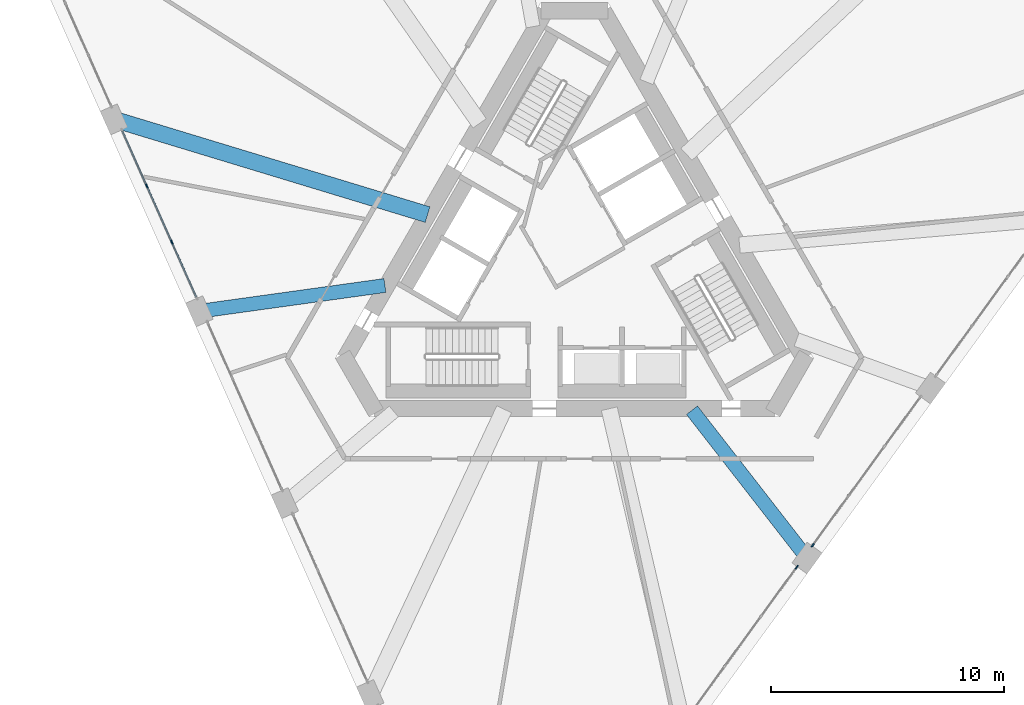
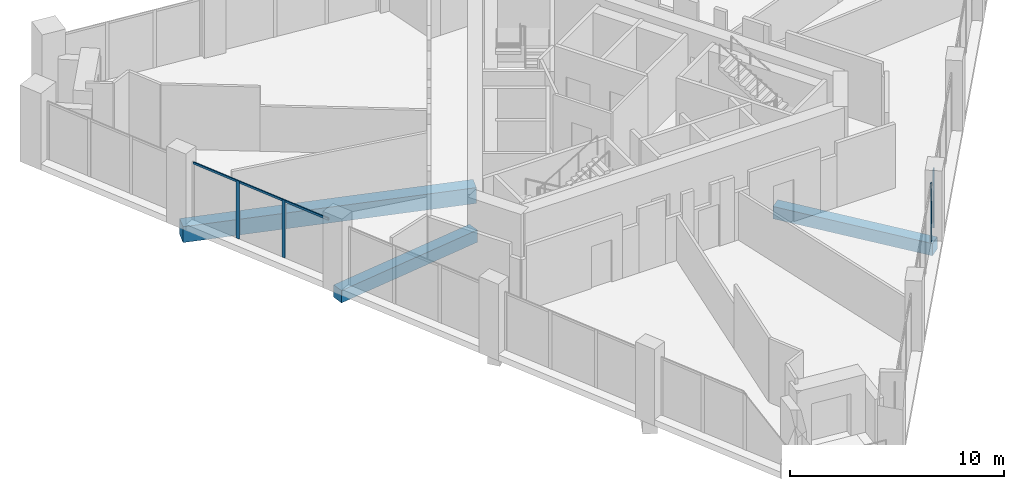
# One storey, part 3 of 15: 7 members, 3 beams, 3 elements without a shape of their own.
"""IFC4 building model written with IfcOpenShell, lengths in metres."""

import ifcopenshell
import ifcopenshell.guid

model = None  # the IFC model being written
_history = None  # IfcOwnerHistory: only IFC2X3 demands one
_inside = {}  # id of a spatial element -> (the spatial element, [elements in it])
_under = {}  # id of a project, library or spatial element -> (it, [spatial elements below it])
_declared = {}  # id of a project -> (the project, [libraries it declares])
_typed = {}  # id of a type object -> (the type object, [elements of that type])
_made_of = {}  # id of a material, layer set ... -> (it, [elements and type objects made of it])


def new_model(schema):
    """Start an empty IFC model of exactly this schema.

    Asked for "IFC4X3", IfcOpenShell would pick the latest addendum, in which some entities
    have other attributes; the version numbers below select the first issue.
    IFC2X3 requires an IfcOwnerHistory on every rooted entity: one is made here for all.
    """
    global model, _history
    if schema == "IFC4X3":
        model = ifcopenshell.file(schema_version=(4, 3, 0, 0))
    else:
        model = ifcopenshell.file(schema=schema)
    _inside.clear()
    _under.clear()
    _declared.clear()
    _typed.clear()
    _made_of.clear()
    _history = None
    if model.schema == "IFC2X3":
        org = make("IfcOrganization", Name="unknown")
        user = make(
            "IfcPersonAndOrganization",
            ThePerson=make("IfcPerson", FamilyName="unknown"),
            TheOrganization=org,
        )
        app = make(
            "IfcApplication",
            ApplicationDeveloper=org,
            Version="unknown",
            ApplicationFullName="unknown",
            ApplicationIdentifier="unknown",
        )
        _history = make(
            "IfcOwnerHistory",
            OwningUser=user,
            OwningApplication=app,
            ChangeAction="ADDED",
            CreationDate=0,
        )
    return model


def make(cls, **values):
    """One entity of the class cls with the attributes given. An attribute that is None is left unset."""
    return model.create_entity(
        cls, **{name: value for name, value in values.items() if value is not None}
    )


def rooted(cls, **values):
    """An entity with a GlobalId (a new one), such as an element, a storey or a relation."""
    return make(cls, GlobalId=ifcopenshell.guid.new(), OwnerHistory=_history, **values)


def si_unit(unit_type, name, prefix=None):
    """IfcSIUnit, for example si_unit("LENGTHUNIT", "METRE", prefix="MILLI")."""
    return make("IfcSIUnit", UnitType=unit_type, Prefix=prefix, Name=name)


def assignment(units):
    """IfcUnitAssignment: the units of a project."""
    return None if units is None else make("IfcUnitAssignment", Units=units)


def point(xyz):
    """IfcCartesianPoint."""
    return None if xyz is None else make("IfcCartesianPoint", Coordinates=xyz)


def direction(xyz):
    """IfcDirection."""
    return None if xyz is None else make("IfcDirection", DirectionRatios=xyz)


def frame(location, z_axis=None, x_axis=None):
    """IfcAxis2Placement3D, a coordinate frame: its origin and axes. An axis left out is left unset."""
    return make(
        "IfcAxis2Placement3D",
        Location=point(location),
        Axis=direction(z_axis),
        RefDirection=direction(x_axis),
    )


def frame_2d(location, x_axis=None):
    """IfcAxis2Placement2D, a coordinate frame in the plane: its origin and x axis."""
    return make(
        "IfcAxis2Placement2D", Location=point(location), RefDirection=direction(x_axis)
    )


def origin():
    """The frame at (0, 0, 0) with its axes left unset."""
    return frame((0.0, 0.0, 0.0))


def origin_2d():
    """The frame at (0, 0) in the plane with its x axis left unset."""
    return frame_2d((0.0, 0.0))


def place(relative_to, where):
    """IfcLocalPlacement: puts the frame where relative to a parent placement (None: the world)."""
    return make(
        "IfcLocalPlacement", PlacementRelTo=relative_to, RelativePlacement=where
    )


def context(
    kind, dimensions, precision=None, world=None, true_north=None, identifier=None
):
    """IfcGeometricRepresentationContext, for example the 3D "Model" context."""
    return make(
        "IfcGeometricRepresentationContext",
        ContextIdentifier=identifier,
        ContextType=kind,
        CoordinateSpaceDimension=dimensions,
        Precision=precision,
        WorldCoordinateSystem=world,
        TrueNorth=true_north,
    )


def subcontext(parent, identifier, kind, view, scale=None):
    """IfcGeometricRepresentationSubContext, for example "Body" below "Model"."""
    return make(
        "IfcGeometricRepresentationSubContext",
        ContextIdentifier=identifier,
        ContextType=kind,
        ParentContext=parent,
        TargetScale=scale,
        TargetView=view,
    )


def project(units=None, contexts=None):
    """IfcProject with its units and contexts."""
    return rooted(
        "IfcProject",
        Name="project",
        RepresentationContexts=contexts,
        UnitsInContext=assignment(units),
    )


def spatial(cls, under=None, at=None, **own):
    """A site, building, storey or space (cls), placed at a placement, below another one or the project."""
    s = rooted(cls, ObjectPlacement=at, **own)
    if under is not None:
        _under.setdefault(under.id(), (under, []))[1].append(s)
    return s


def profile(cls, at=None, kind="AREA", **sizes):
    """A parametric profile (cls). Its sizes go by their IFC names, for example OverallWidth=200.0."""
    return make(cls, ProfileType=kind, Position=at, **sizes)


def rectangle(**sizes):
    """IfcRectangleProfileDef."""
    return profile("IfcRectangleProfileDef", **sizes)


def extrude(swept, where, along, depth):
    """IfcExtrudedAreaSolid: the profile swept, set in the frame where, extruded along a direction by depth."""
    return make(
        "IfcExtrudedAreaSolid",
        SweptArea=swept,
        Position=where,
        ExtrudedDirection=direction(along),
        Depth=depth,
    )


def shape(context_of_items, identifier, shape_type, items):
    """IfcShapeRepresentation: the items that make up one representation, for example the "Body"."""
    return make(
        "IfcShapeRepresentation",
        ContextOfItems=context_of_items,
        RepresentationIdentifier=identifier,
        RepresentationType=shape_type,
        Items=items,
    )


def material(Name=None, Category=None):
    """IfcMaterial."""
    return make("IfcMaterial", Name=Name, Category=Category)


def layer(
    of_material, thickness, ventilated=None, Name=None, Category=None, Priority=None
):
    """IfcMaterialLayer: one layer of a wall or slab, of a material (None: an air gap)."""
    return make(
        "IfcMaterialLayer",
        Material=of_material,
        LayerThickness=thickness,
        IsVentilated=ventilated,
        Name=Name,
        Category=Category,
        Priority=Priority,
    )


def layer_set(layers, Name=None):
    """IfcMaterialLayerSet."""
    return make("IfcMaterialLayerSet", MaterialLayers=layers, LayerSetName=Name)


def material_profile(
    of_material, cross_section, Name=None, Category=None, Priority=None
):
    """IfcMaterialProfile: a cross section and its material."""
    return make(
        "IfcMaterialProfile",
        Name=Name,
        Material=of_material,
        Profile=cross_section,
        Priority=Priority,
        Category=Category,
    )


def profile_set(profiles, Name=None, composite=None):
    """IfcMaterialProfileSet."""
    return make(
        "IfcMaterialProfileSet",
        Name=Name,
        MaterialProfiles=profiles,
        CompositeProfile=composite,
    )


def made_of(thing, what):
    """Note that an element or type object is made of a material, layer set ...; save() writes the relation."""
    if what is not None:
        _made_of.setdefault(what.id(), (what, []))[1].append(thing)
    return thing


def type_object(cls, material=None, **own):
    """A type object (cls), such as IfcWallType, which elements share."""
    return made_of(rooted(cls, **own), material)


def element(
    cls,
    number,
    at=None,
    inside=None,
    cuts=None,
    type_object=None,
    material=None,
    context=None,
    identifier="Body",
    shape_type=None,
    held_by="IfcProductDefinitionShape",
    body=None,
    shapes=None,
    **own,
):
    """One element of the class cls, such as IfcWall. Its Tag is "e" and its number.

    at: its placement. inside: the storey or other place that contains it. cuts: it is an
    opening in that element (IfcRelVoidsElement). A single representation is given by context,
    identifier, shape_type and body (its items); several are given by shapes. held_by: the class
    of the entity that holds the representations. save() writes the other relations.
    """
    e = rooted(cls, Tag="e%d" % number, ObjectPlacement=at, **own)
    if body is not None:
        shapes = [shape(context, identifier, shape_type, body)]
    if shapes is not None:
        e.Representation = make(held_by, Representations=shapes)
    if inside is not None:
        _inside.setdefault(inside.id(), (inside, []))[1].append(e)
    if cuts is not None:
        rooted(
            "IfcRelVoidsElement", RelatingBuildingElement=cuts, RelatedOpeningElement=e
        )
    if type_object is not None:
        _typed.setdefault(type_object.id(), (type_object, []))[1].append(e)
    return made_of(e, material)


def aggregate(whole, parts):
    """IfcRelAggregates: a whole, such as a stair, and the parts it consists of."""
    return rooted("IfcRelAggregates", RelatingObject=whole, RelatedObjects=parts)


def save(model, path):
    """Write the relations noted so far, then the file.

    IfcRelAggregates (storeys below a building ...), IfcRelContainedInSpatialStructure (elements
    in a storey), IfcRelDefinesByType, IfcRelAssociatesMaterial and IfcRelDeclares: one each for
    every whole, place, type object, material and project.
    """
    for whole, parts in _under.values():
        aggregate(whole, parts)
    for where, things in _inside.values():
        rooted(
            "IfcRelContainedInSpatialStructure",
            RelatedElements=things,
            RelatingStructure=where,
        )
    for kind, things in _typed.values():
        rooted("IfcRelDefinesByType", RelatedObjects=things, RelatingType=kind)
    for what, things in _made_of.values():
        rooted("IfcRelAssociatesMaterial", RelatedObjects=things, RelatingMaterial=what)
    for by, libraries in _declared.values():
        rooted("IfcRelDeclares", RelatingContext=by, RelatedDefinitions=libraries)
    model.write(path)


model = new_model("IFC4")

# Units and contexts
model_context = context("Model", 3, precision=1e-05, world=origin(), true_north=direction((0.0, 1.0)))
body_context = subcontext(model_context, "Body", "Model", "MODEL_VIEW")
ifc_project = project(units=[si_unit("LENGTHUNIT", "METRE"), si_unit("AREAUNIT", "SQUARE_METRE"), si_unit("VOLUMEUNIT", "CUBIC_METRE"), si_unit("PLANEANGLEUNIT", "RADIAN"), si_unit("MASSUNIT", "GRAM", prefix="KILO")], contexts=[model_context])

# Site, building, storey
site_placement = place(None, origin())
site = spatial("IfcSite", under=ifc_project, at=site_placement, CompositionType="ELEMENT")
building_placement = place(site_placement, origin())
building = spatial("IfcBuilding", under=site, at=building_placement, Name="Tramontana Tower", CompositionType="ELEMENT")
storey_placement = place(building_placement, frame((0.0, 0.0, 237.199951171875)))
storey = spatial("IfcBuildingStorey", under=building, at=storey_placement, Name="L55", CompositionType="ELEMENT", Elevation=237.199951171875)

# Curtain wall, members
ifc_material_1 = material(Name="Aluminum extrusion", Category="aluminium")
ifc_layer = layer(ifc_material_1, 0.14990234375)
ifc_layer_set = layer_set([ifc_layer], Name="CW4 Sky lobby 2 curtain wall")
curtain_wall_type = type_object("IfcCurtainWallType", Name="CW4 Sky lobby 2 curtain wall", PredefinedType="NOTDEFINED", material=ifc_layer_set)
curtain_wall_1_placement = place(storey_placement, origin())
curtain_wall_1 = element("IfcCurtainWall", 1, at=curtain_wall_1_placement, inside=storey, type_object=curtain_wall_type, Name="CW4 curtain wall L55 face 0 bay 2", PredefinedType="NOTDEFINED")
ifc_material_2 = material(Name="Aluminum extrusion", Category="aluminium")
ifc_material_profile_1 = material_profile(ifc_material_2, rectangle(XDim=0.06005859375, YDim=0.179931640625, at=origin_2d()), Name="CW4-M Mullion 60 x 180")
ifc_profile_set_1 = profile_set([ifc_material_profile_1], Name="Aluminum extrusion")
member_type_1 = type_object("IfcMemberType", Name="CW4-M Mullion 60 x 180", PredefinedType="MULLION", material=ifc_profile_set_1)
member_1_placement = place(storey_placement, frame((-18.33642578125, 3.1376953125, 0.0), z_axis=(0.0, 0.0, 1.0), x_axis=(0.913545457643, 0.406736643076, 0.0)))
member_1 = element("IfcMember", 2, at=member_1_placement, type_object=member_type_1, Name="CW4 curtain wall L55 face 0 bay 2 mullion 2", PredefinedType="MULLION", context=body_context, shape_type="SweptSolid", body=[
    extrude(rectangle(XDim=0.06005859375, YDim=0.179931640625, at=origin_2d()), origin(), (0.0, 0.0, 1.0), 3.300048828125),
])
member_2_placement = place(storey_placement, frame((-17.264404296875, 0.72998046875, 0.0), z_axis=(0.0, 0.0, 1.0), x_axis=(0.913545457643, 0.406736643076, 0.0)))
member_2 = element("IfcMember", 3, at=member_2_placement, type_object=member_type_1, Name="CW4 curtain wall L55 face 0 bay 2 mullion 3", PredefinedType="MULLION", context=body_context, shape_type="SweptSolid", body=[
    extrude(rectangle(XDim=0.06005859375, YDim=0.179931640625, at=origin_2d()), origin(), (0.0, 0.0, 1.0), 3.300048828125),
])

# Curtain wall, member
curtain_wall_2_placement = place(storey_placement, origin())
curtain_wall_2 = element("IfcCurtainWall", 4, at=curtain_wall_2_placement, inside=storey, type_object=curtain_wall_type, Name="CW4 curtain wall L55 face 1 bay 2", PredefinedType="NOTDEFINED")
member_3_placement = place(storey_placement, frame((9.53173828125, -13.20849609375, 0.0), z_axis=(0.0, 0.0, 1.0), x_axis=(-0.809016994375, 0.587785252292, 0.0)))
member_3 = element("IfcMember", 5, at=member_3_placement, type_object=member_type_1, Name="CW4 curtain wall L55 face 1 bay 2 mullion 4", PredefinedType="MULLION", context=body_context, shape_type="SweptSolid", body=[
    extrude(rectangle(XDim=0.06005859375, YDim=0.179931640625, at=origin_2d()), origin(), (0.0, 0.0, 1.0), 3.300048828125),
])
aggregate(curtain_wall_2, [member_3])

curtain_wall_3_placement = place(storey_placement, origin())
curtain_wall_3 = element("IfcCurtainWall", 6, at=curtain_wall_3_placement, inside=storey, type_object=curtain_wall_type, Name="CW4 curtain wall L55 face 1 bay 3", PredefinedType="NOTDEFINED")
member_4_placement = place(storey_placement, frame((10.21337890625, -12.27001953125, 0.0), z_axis=(0.0, 0.0, 1.0), x_axis=(-0.809016994375, 0.587785252292, 0.0)))
member_4 = element("IfcMember", 7, at=member_4_placement, type_object=member_type_1, Name="CW4 curtain wall L55 face 1 bay 3 mullion 1", PredefinedType="MULLION", context=body_context, shape_type="SweptSolid", body=[
    extrude(rectangle(XDim=0.06005859375, YDim=0.179931640625, at=origin_2d()), origin(), (0.0, 0.0, 1.0), 3.300048828125),
])
aggregate(curtain_wall_3, [member_4])

# Member
ifc_material_3 = material(Name="Aluminum extrusion", Category="aluminium")
ifc_material_profile_2 = material_profile(ifc_material_3, rectangle(XDim=0.06005859375, YDim=0.1201171875, at=origin_2d()), Name="CW4-T Transom 60 x 120")
ifc_profile_set_2 = profile_set([ifc_material_profile_2], Name="Aluminum extrusion")
member_type_2 = type_object("IfcMemberType", Name="CW4-T Transom 60 x 120", PredefinedType="USERDEFINED", material=ifc_profile_set_2)
member_5_placement = place(storey_placement, frame((-19.384033203125, 5.490478515625, 3.239990234375), z_axis=(0.406752393228, -0.91353844506, 0.0), x_axis=(0.91353844506, 0.406752393228, 0.0)))
member_5 = element("IfcMember", 8, at=member_5_placement, type_object=member_type_2, Name="CW4 curtain wall L55 face 0 bay 2 transom 1.1", ObjectType="TRANSOM", PredefinedType="USERDEFINED", context=body_context, shape_type="SweptSolid", body=[
    extrude(rectangle(XDim=0.06005859375, YDim=0.1201171875, at=origin_2d()), origin(), (0.0, 0.0, 1.0), 2.54541015625),
])

member_6_placement = place(storey_placement, frame((-18.32421875, 3.110107421875, 3.239990234375), z_axis=(0.406762841657, -0.913533792833, 0.0), x_axis=(0.913533792833, 0.406762841657, 0.0)))
member_6 = element("IfcMember", 9, at=member_6_placement, type_object=member_type_2, Name="CW4 curtain wall L55 face 0 bay 2 transom 2.1", ObjectType="TRANSOM", PredefinedType="USERDEFINED", context=body_context, shape_type="SweptSolid", body=[
    extrude(rectangle(XDim=0.06005859375, YDim=0.1201171875, at=origin_2d()), origin(), (0.0, 0.0, 1.0), 2.575439453125),
])

member_7_placement = place(storey_placement, frame((-17.252197265625, 0.702392578125, 3.239990234375), z_axis=(0.406752393228, -0.91353844506, 0.0), x_axis=(0.91353844506, 0.406752393228, 0.0)))
member_7 = element("IfcMember", 10, at=member_7_placement, type_object=member_type_2, Name="CW4 curtain wall L55 face 0 bay 2 transom 3.1", ObjectType="TRANSOM", PredefinedType="USERDEFINED", context=body_context, shape_type="SweptSolid", body=[
    extrude(rectangle(XDim=0.06005859375, YDim=0.1201171875, at=origin_2d()), origin(), (0.0, 0.0, 1.0), 2.54541015625),
])

aggregate(curtain_wall_1, [member_1, member_2, member_5, member_6, member_7])

# Beams
ifc_material_4 = material(Name="Concrete 40 MPa", Category="concrete")
ifc_material_profile_3 = material_profile(ifc_material_4, rectangle(XDim=0.60009765625, YDim=0.699951171875, at=origin_2d()), Name="RC GIRDER 600X700 40 MPa")
ifc_profile_set_3 = profile_set([ifc_material_profile_3], Name="Concrete 40 MPa")
beam_type_1 = type_object("IfcBeamType", Name="RC GIRDER 600X700 40 MPa", PredefinedType="BEAM", material=ifc_profile_set_3)
for number, where, z_axis, x_axis, name in (
    (11, (-16.0830078125, -2.231201171875, -0.699951171875), (0.990511014631, 0.13743336529, 0.0), (-0.13743336529, 0.990511014631, 0.0), "Radial girder C6F02 L55"),
    (12, (9.9736328125, -12.812744140625, -0.699951171875), (-0.614258279955, 0.789105040857, 0.0), (-0.789105040857, -0.614258279955, 0.0), "Radial girder C6F06 L55"),
):
    element("IfcBeam", number, at=place(storey_placement, frame(where, z_axis=z_axis, x_axis=x_axis)), inside=storey, type_object=beam_type_1, Name=name, PredefinedType="BEAM", context=body_context, shape_type="SweptSolid", body=[
        extrude(rectangle(XDim=0.60009765625, YDim=0.699951171875, at=origin_2d()), origin(), (0.0, 0.0, 1.0), 8.032958984375),
    ])
ifc_material_5 = material(Name="Concrete 40 MPa", Category="concrete")
ifc_material_profile_4 = material_profile(ifc_material_5, rectangle(XDim=0.699951171875, YDim=0.89990234375, at=origin_2d()), Name="RC GIRDER 700X900 40 MPa")
ifc_profile_set_4 = profile_set([ifc_material_profile_4], Name="Concrete 40 MPa")
beam_type_2 = type_object("IfcBeamType", Name="RC GIRDER 700X900 40 MPa", PredefinedType="BEAM", material=ifc_profile_set_4)
beam_placement = place(storey_placement, frame((-19.746337890625, 5.996826171875, -0.800048828125), z_axis=(0.956850397844, -0.290580997566, 0.0), x_axis=(0.290580997566, 0.956850397844, 0.0)))
element("IfcBeam", 13, at=beam_placement, inside=storey, type_object=beam_type_2, Name="Radial girder C6F01 L55", PredefinedType="BEAM", context=body_context, shape_type="SweptSolid", body=[
    extrude(rectangle(XDim=0.699951171875, YDim=0.89990234375, at=origin_2d()), origin(), (0.0, 0.0, 1.0), 14.05615234375),
])

save(model, "model.ifc")
